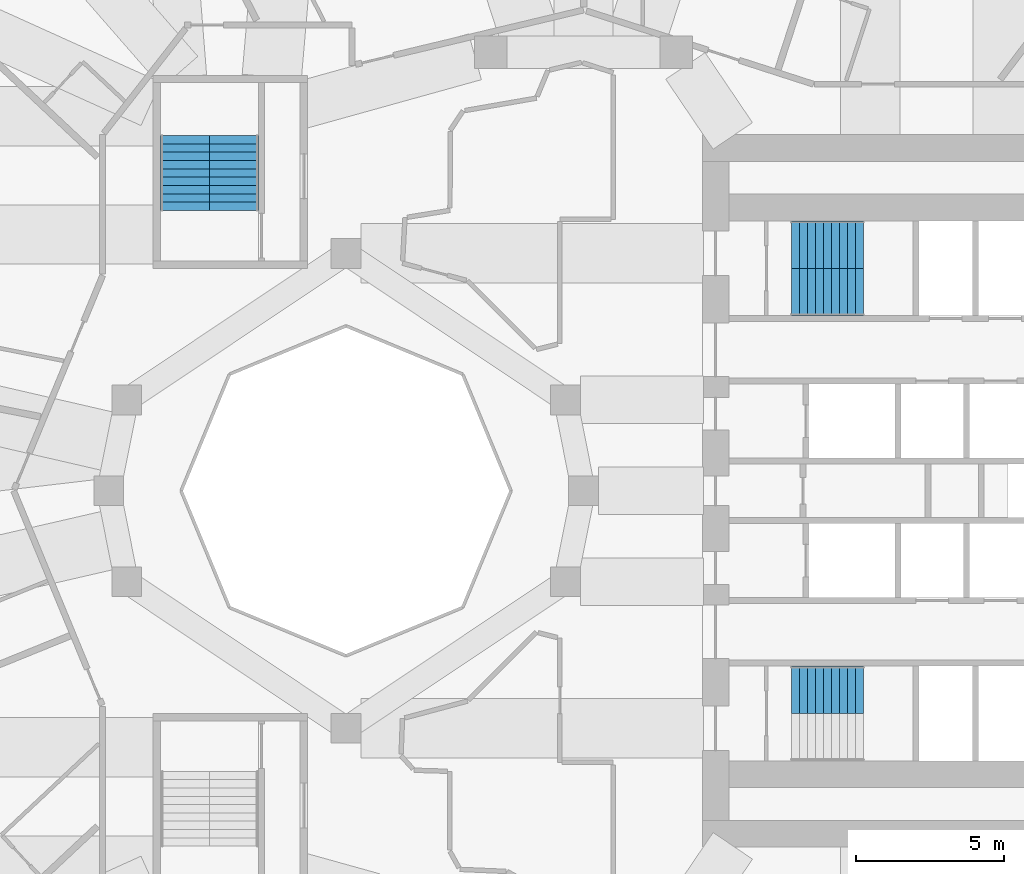
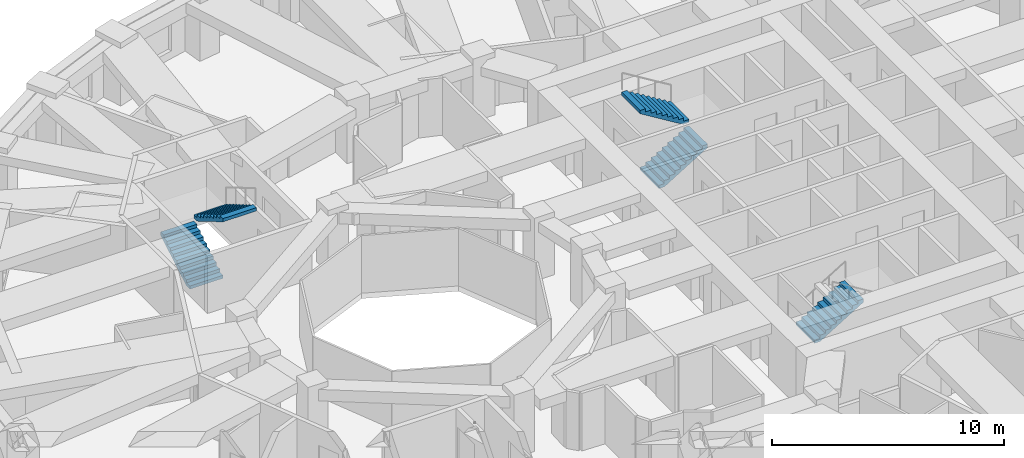
# One storey, part 10 of 13: 5 stair flights, 3 elements without a shape of their own.
"""IFC4 building model written with IfcOpenShell, lengths in metres."""

from ifc_helpers import new_model, si_unit, direction, frame, origin, place, context, subcontext, project, spatial, polyline, outline, extrude, material, type_object, element, aggregate, save


model = new_model("IFC4")

# Units and contexts
model_context = context("Model", 3, precision=1e-05, world=origin(), true_north=direction((0.0, 1.0)))
body_context = subcontext(model_context, "Body", "Model", "MODEL_VIEW")
ifc_project = project(units=[si_unit("LENGTHUNIT", "METRE"), si_unit("AREAUNIT", "SQUARE_METRE"), si_unit("VOLUMEUNIT", "CUBIC_METRE"), si_unit("PLANEANGLEUNIT", "RADIAN"), si_unit("MASSUNIT", "GRAM", prefix="KILO")], contexts=[model_context])

# Site, building, storey
site_placement = place(None, origin())
site = spatial("IfcSite", under=ifc_project, at=site_placement, CompositionType="ELEMENT")
building_placement = place(site_placement, origin())
building = spatial("IfcBuilding", under=site, at=building_placement, Name="Taillehof Tower", CompositionType="ELEMENT")
storey_placement = place(building_placement, frame((0.0, 0.0, 77.800048828125)))
storey = spatial("IfcBuildingStorey", under=building, at=storey_placement, Name="L21", CompositionType="ELEMENT", Elevation=77.800048828125)

# Stair, stair flights
ifc_material_1 = material(Name="Concrete C40/50", Category="concrete")
stair_type = type_object("IfcStairType", Name="Exit stair half-turn", PredefinedType="HALF_TURN_STAIR", material=ifc_material_1)
stair_1_placement = place(storey_placement, origin())
stair_1 = element("IfcStair", 1, at=stair_1_placement, inside=storey, type_object=stair_type, Name="Exit stair S1", PredefinedType="HALF_TURN_STAIR")
ifc_material_2 = material(Name="Concrete C40/50", Category="concrete")
stair_flight_type_1 = type_object("IfcStairFlightType", Name="Stair flight 1600 riser 165.0 going 270", PredefinedType="STRAIGHT", material=ifc_material_2)
stair_flight_1_placement = place(storey_placement, frame((7.0, 6.699951171875, 0.0), z_axis=(0.0, 0.0, 1.0), x_axis=(1.0, 0.0, 0.0)))
stair_flight_1 = element("IfcStairFlight", 2, at=stair_flight_1_placement, type_object=stair_flight_type_1, Name="S1 flight 1", NumberOfRisers=10, NumberOfTreads=9, PredefinedType="STRAIGHT", RiserHeight=0.165, TreadLength=0.27, context=body_context, shape_type="SweptSolid", body=[
    extrude(outline(polyline([(0.0, 0.0), (0.0, 0.00537109375), (0.0, 0.0107421875), (0.0, 0.015869140625), (0.0, 0.021240234375), (0.0, 0.026611328125), (0.0, 0.031982421875), (0.0, 0.037353515625), (0.0, 0.04248046875), (0.0, 0.0478515625), (0.0, 0.05322265625), (0.0, 0.05859375), (0.0, 0.06396484375), (0.0, 0.069091796875), (0.0, 0.074462890625), (0.0, 0.079833984375), (0.0, 0.085205078125), (0.0, 0.090576171875), (0.0, 0.095703125), (0.0, 0.10107421875), (0.0, 0.1064453125), (0.0, 0.11181640625), (0.0, 0.1171875), (0.0, 0.122314453125), (0.0, 0.127685546875), (0.0, 0.133056640625), (0.0, 0.138427734375), (0.0, 0.143798828125), (0.0, 0.14892578125), (0.0, 0.154296875), (0.0, 0.15966796875), (0.0, 0.1650390625), (0.27001953125, 0.1650390625), (0.27001953125, 0.330078125), (0.5400390625, 0.330078125), (0.5400390625, 0.4951171875), (0.81005859375, 0.4951171875), (0.81005859375, 0.659912109375), (1.080078125, 0.659912109375), (1.080078125, 0.824951171875), (1.35009765625, 0.824951171875), (1.35009765625, 0.989990234375), (1.6201171875, 0.989990234375), (1.6201171875, 1.155029296875), (1.889892578125, 1.155029296875), (1.889892578125, 1.320068359375), (2.159912109375, 1.320068359375), (2.159912109375, 1.485107421875), (2.429931640625, 1.485107421875), (2.429931640625, 1.479248046875), (2.429931640625, 1.4736328125), (2.429931640625, 1.468017578125), (2.429931640625, 1.46240234375), (2.429931640625, 1.45654296875), (2.429931640625, 1.450927734375), (2.429931640625, 1.4453125), (2.429931640625, 1.439697265625), (2.429931640625, 1.43408203125), (2.429931640625, 1.42822265625), (2.429931640625, 1.422607421875), (2.429931640625, 1.4169921875), (2.429931640625, 1.411376953125), (2.429931640625, 1.40576171875), (2.429931640625, 1.39990234375), (2.429931640625, 1.394287109375), (2.429931640625, 1.388671875), (2.429931640625, 1.383056640625), (2.429931640625, 1.37744140625), (2.429931640625, 1.37158203125), (2.429931640625, 1.365966796875), (2.429931640625, 1.3603515625), (2.429931640625, 1.354736328125), (2.429931640625, 1.348876953125), (2.429931640625, 1.34326171875), (2.429931640625, 1.337646484375), (2.429931640625, 1.33203125), (2.429931640625, 1.326416015625), (2.429931640625, 1.320556640625), (2.429931640625, 1.31494140625), (2.429931640625, 1.309326171875), (0.287353515625, 0.0), (0.0, 0.0)])), frame((0.0, 0.800048828125, 0.0), z_axis=(0.0, -1.0, 0.0), x_axis=(1.0, 0.0, 0.0)), (0.0, 0.0, 1.0), 1.6),
])
stair_flight_2_placement = place(storey_placement, frame((9.429931640625, 8.300048828125, 1.64990234375), z_axis=(0.0, 0.0, 1.0), x_axis=(-1.0, 0.0, 0.0)))
stair_flight_2 = element("IfcStairFlight", 3, at=stair_flight_2_placement, type_object=stair_flight_type_1, Name="S1 flight 2", NumberOfRisers=10, NumberOfTreads=9, PredefinedType="STRAIGHT", RiserHeight=0.165, TreadLength=0.27, context=body_context, shape_type="SweptSolid", body=[
    extrude(outline(polyline([(0.0, 0.0), (0.0, 0.00537109375), (0.0, 0.0107421875), (0.0, 0.015869140625), (0.0, 0.021240234375), (0.0, 0.026611328125), (0.0, 0.031982421875), (0.0, 0.037353515625), (0.0, 0.04248046875), (0.0, 0.0478515625), (0.0, 0.05322265625), (0.0, 0.05859375), (0.0, 0.06396484375), (0.0, 0.069091796875), (0.0, 0.074462890625), (0.0, 0.079833984375), (0.0, 0.085205078125), (0.0, 0.090576171875), (0.0, 0.095703125), (0.0, 0.10107421875), (0.0, 0.1064453125), (0.0, 0.11181640625), (0.0, 0.1171875), (0.0, 0.122314453125), (0.0, 0.127685546875), (0.0, 0.133056640625), (0.0, 0.138427734375), (0.0, 0.143798828125), (0.0, 0.14892578125), (0.0, 0.154296875), (0.0, 0.15966796875), (0.0, 0.1650390625), (0.27001953125, 0.1650390625), (0.27001953125, 0.330078125), (0.5400390625, 0.330078125), (0.5400390625, 0.4951171875), (0.81005859375, 0.4951171875), (0.81005859375, 0.659912109375), (1.080078125, 0.659912109375), (1.080078125, 0.824951171875), (1.35009765625, 0.824951171875), (1.35009765625, 0.989990234375), (1.6201171875, 0.989990234375), (1.6201171875, 1.155029296875), (1.889892578125, 1.155029296875), (1.889892578125, 1.320068359375), (2.159912109375, 1.320068359375), (2.159912109375, 1.485107421875), (2.429931640625, 1.485107421875), (2.429931640625, 1.479248046875), (2.429931640625, 1.4736328125), (2.429931640625, 1.468017578125), (2.429931640625, 1.46240234375), (2.429931640625, 1.45654296875), (2.429931640625, 1.450927734375), (2.429931640625, 1.4453125), (2.429931640625, 1.439697265625), (2.429931640625, 1.43408203125), (2.429931640625, 1.42822265625), (2.429931640625, 1.422607421875), (2.429931640625, 1.4169921875), (2.429931640625, 1.411376953125), (2.429931640625, 1.40576171875), (2.429931640625, 1.39990234375), (2.429931640625, 1.394287109375), (2.429931640625, 1.388671875), (2.429931640625, 1.383056640625), (2.429931640625, 1.37744140625), (2.429931640625, 1.37158203125), (2.429931640625, 1.365966796875), (2.429931640625, 1.3603515625), (2.429931640625, 1.354736328125), (2.429931640625, 1.348876953125), (2.429931640625, 1.34326171875), (2.429931640625, 1.337646484375), (2.429931640625, 1.33203125), (2.429931640625, 1.326416015625), (2.429931640625, 1.320556640625), (2.429931640625, 1.31494140625), (2.429931640625, 1.309326171875), (0.287353515625, 0.0), (0.0, 0.0)])), frame((0.0, 0.800048828125, 0.0), z_axis=(0.0, -1.0, 0.0), x_axis=(1.0, 0.0, 0.0)), (0.0, 0.0, 1.0), 1.6),
])
aggregate(stair_1, [stair_flight_1, stair_flight_2])

# Stair, stair flight
stair_2_placement = place(storey_placement, origin())
stair_2 = element("IfcStair", 4, at=stair_2_placement, inside=storey, type_object=stair_type, Name="Exit stair S2", PredefinedType="HALF_TURN_STAIR")
stair_flight_3_placement = place(storey_placement, frame((7.0, -6.699951171875, 0.0), z_axis=(0.0, 0.0, 1.0), x_axis=(1.0, 0.0, 0.0)))
stair_flight_3 = element("IfcStairFlight", 5, at=stair_flight_3_placement, type_object=stair_flight_type_1, Name="S2 flight 1", NumberOfRisers=10, NumberOfTreads=9, PredefinedType="STRAIGHT", RiserHeight=0.165, TreadLength=0.27, context=body_context, shape_type="SweptSolid", body=[
    extrude(outline(polyline([(0.0, 0.0), (0.0, 0.00537109375), (0.0, 0.0107421875), (0.0, 0.015869140625), (0.0, 0.021240234375), (0.0, 0.026611328125), (0.0, 0.031982421875), (0.0, 0.037353515625), (0.0, 0.04248046875), (0.0, 0.0478515625), (0.0, 0.05322265625), (0.0, 0.05859375), (0.0, 0.06396484375), (0.0, 0.069091796875), (0.0, 0.074462890625), (0.0, 0.079833984375), (0.0, 0.085205078125), (0.0, 0.090576171875), (0.0, 0.095703125), (0.0, 0.10107421875), (0.0, 0.1064453125), (0.0, 0.11181640625), (0.0, 0.1171875), (0.0, 0.122314453125), (0.0, 0.127685546875), (0.0, 0.133056640625), (0.0, 0.138427734375), (0.0, 0.143798828125), (0.0, 0.14892578125), (0.0, 0.154296875), (0.0, 0.15966796875), (0.0, 0.1650390625), (0.27001953125, 0.1650390625), (0.27001953125, 0.330078125), (0.5400390625, 0.330078125), (0.5400390625, 0.4951171875), (0.81005859375, 0.4951171875), (0.81005859375, 0.659912109375), (1.080078125, 0.659912109375), (1.080078125, 0.824951171875), (1.35009765625, 0.824951171875), (1.35009765625, 0.989990234375), (1.6201171875, 0.989990234375), (1.6201171875, 1.155029296875), (1.889892578125, 1.155029296875), (1.889892578125, 1.320068359375), (2.159912109375, 1.320068359375), (2.159912109375, 1.485107421875), (2.429931640625, 1.485107421875), (2.429931640625, 1.479248046875), (2.429931640625, 1.4736328125), (2.429931640625, 1.468017578125), (2.429931640625, 1.46240234375), (2.429931640625, 1.45654296875), (2.429931640625, 1.450927734375), (2.429931640625, 1.4453125), (2.429931640625, 1.439697265625), (2.429931640625, 1.43408203125), (2.429931640625, 1.42822265625), (2.429931640625, 1.422607421875), (2.429931640625, 1.4169921875), (2.429931640625, 1.411376953125), (2.429931640625, 1.40576171875), (2.429931640625, 1.39990234375), (2.429931640625, 1.394287109375), (2.429931640625, 1.388671875), (2.429931640625, 1.383056640625), (2.429931640625, 1.37744140625), (2.429931640625, 1.37158203125), (2.429931640625, 1.365966796875), (2.429931640625, 1.3603515625), (2.429931640625, 1.354736328125), (2.429931640625, 1.348876953125), (2.429931640625, 1.34326171875), (2.429931640625, 1.337646484375), (2.429931640625, 1.33203125), (2.429931640625, 1.326416015625), (2.429931640625, 1.320556640625), (2.429931640625, 1.31494140625), (2.429931640625, 1.309326171875), (0.287353515625, 0.0), (0.0, 0.0)])), frame((0.0, 0.800048828125, 0.0), z_axis=(0.0, -1.0, 0.0), x_axis=(1.0, 0.0, 0.0)), (0.0, 0.0, 1.0), 1.6),
])
aggregate(stair_2, [stair_flight_3])

# Stair, stair flights
stair_3_placement = place(storey_placement, origin())
stair_3 = element("IfcStair", 6, at=stair_3_placement, inside=storey, type_object=stair_type, Name="Exit stair S3", PredefinedType="HALF_TURN_STAIR")
ifc_material_3 = material(Name="Concrete C40/50", Category="concrete")
stair_flight_type_2 = type_object("IfcStairFlightType", Name="Stair flight 1650 riser 165.0 going 280", PredefinedType="STRAIGHT", material=ifc_material_3)
stair_flight_4_placement = place(storey_placement, frame((-13.425048828125, 9.449951171875, 0.0), z_axis=(0.0, 0.0, 1.0), x_axis=(0.0, 1.0, 0.0)))
stair_flight_4 = element("IfcStairFlight", 7, at=stair_flight_4_placement, type_object=stair_flight_type_2, Name="S3 flight 1", NumberOfRisers=10, NumberOfTreads=9, PredefinedType="STRAIGHT", RiserHeight=0.165, TreadLength=0.28, context=body_context, shape_type="SweptSolid", body=[
    extrude(outline(polyline([(0.0, 0.0), (0.0, 0.00537109375), (0.0, 0.0107421875), (0.0, 0.015869140625), (0.0, 0.021240234375), (0.0, 0.026611328125), (0.0, 0.031982421875), (0.0, 0.037353515625), (0.0, 0.04248046875), (0.0, 0.0478515625), (0.0, 0.05322265625), (0.0, 0.05859375), (0.0, 0.06396484375), (0.0, 0.069091796875), (0.0, 0.074462890625), (0.0, 0.079833984375), (0.0, 0.085205078125), (0.0, 0.090576171875), (0.0, 0.095703125), (0.0, 0.10107421875), (0.0, 0.1064453125), (0.0, 0.11181640625), (0.0, 0.1171875), (0.0, 0.122314453125), (0.0, 0.127685546875), (0.0, 0.133056640625), (0.0, 0.138427734375), (0.0, 0.143798828125), (0.0, 0.14892578125), (0.0, 0.154296875), (0.0, 0.15966796875), (0.0, 0.1650390625), (0.280029296875, 0.1650390625), (0.280029296875, 0.330078125), (0.56005859375, 0.330078125), (0.56005859375, 0.4951171875), (0.840087890625, 0.4951171875), (0.840087890625, 0.659912109375), (1.1201171875, 0.659912109375), (1.1201171875, 0.824951171875), (1.39990234375, 0.824951171875), (1.39990234375, 0.989990234375), (1.679931640625, 0.989990234375), (1.679931640625, 1.155029296875), (1.9599609375, 1.155029296875), (1.9599609375, 1.320068359375), (2.239990234375, 1.320068359375), (2.239990234375, 1.485107421875), (2.52001953125, 1.485107421875), (2.52001953125, 1.4794921875), (2.52001953125, 1.473876953125), (2.52001953125, 1.46826171875), (2.52001953125, 1.462646484375), (2.52001953125, 1.45703125), (2.52001953125, 1.451416015625), (2.52001953125, 1.44580078125), (2.52001953125, 1.440185546875), (2.52001953125, 1.4345703125), (2.52001953125, 1.428955078125), (2.52001953125, 1.42333984375), (2.52001953125, 1.417724609375), (2.52001953125, 1.412109375), (2.52001953125, 1.406494140625), (2.52001953125, 1.40087890625), (2.52001953125, 1.395263671875), (2.52001953125, 1.3896484375), (2.52001953125, 1.384033203125), (2.52001953125, 1.37841796875), (2.52001953125, 1.372802734375), (2.52001953125, 1.3671875), (2.52001953125, 1.361572265625), (2.52001953125, 1.35595703125), (2.52001953125, 1.350341796875), (2.52001953125, 1.3447265625), (2.52001953125, 1.339111328125), (2.52001953125, 1.33349609375), (2.52001953125, 1.327880859375), (2.52001953125, 1.322265625), (2.52001953125, 1.316650390625), (2.52001953125, 1.31103515625), (0.295166015625, 0.0), (0.0, 0.0)])), frame((0.0, 0.824951171875, 0.0), z_axis=(0.0, -1.0, 0.0), x_axis=(1.0, 0.0, 0.0)), (0.0, 0.0, 1.0), 1.65),
])
stair_flight_5_placement = place(storey_placement, frame((-11.77490234375, 11.969970703125, 1.64990234375), z_axis=(0.0, 0.0, 1.0), x_axis=(0.0, -1.0, 0.0)))
stair_flight_5 = element("IfcStairFlight", 8, at=stair_flight_5_placement, type_object=stair_flight_type_2, Name="S3 flight 2", NumberOfRisers=10, NumberOfTreads=9, PredefinedType="STRAIGHT", RiserHeight=0.165, TreadLength=0.28, context=body_context, shape_type="SweptSolid", body=[
    extrude(outline(polyline([(0.0, 0.0), (0.0, 0.00537109375), (0.0, 0.0107421875), (0.0, 0.015869140625), (0.0, 0.021240234375), (0.0, 0.026611328125), (0.0, 0.031982421875), (0.0, 0.037353515625), (0.0, 0.04248046875), (0.0, 0.0478515625), (0.0, 0.05322265625), (0.0, 0.05859375), (0.0, 0.06396484375), (0.0, 0.069091796875), (0.0, 0.074462890625), (0.0, 0.079833984375), (0.0, 0.085205078125), (0.0, 0.090576171875), (0.0, 0.095703125), (0.0, 0.10107421875), (0.0, 0.1064453125), (0.0, 0.11181640625), (0.0, 0.1171875), (0.0, 0.122314453125), (0.0, 0.127685546875), (0.0, 0.133056640625), (0.0, 0.138427734375), (0.0, 0.143798828125), (0.0, 0.14892578125), (0.0, 0.154296875), (0.0, 0.15966796875), (0.0, 0.1650390625), (0.280029296875, 0.1650390625), (0.280029296875, 0.330078125), (0.56005859375, 0.330078125), (0.56005859375, 0.4951171875), (0.840087890625, 0.4951171875), (0.840087890625, 0.659912109375), (1.1201171875, 0.659912109375), (1.1201171875, 0.824951171875), (1.39990234375, 0.824951171875), (1.39990234375, 0.989990234375), (1.679931640625, 0.989990234375), (1.679931640625, 1.155029296875), (1.9599609375, 1.155029296875), (1.9599609375, 1.320068359375), (2.239990234375, 1.320068359375), (2.239990234375, 1.485107421875), (2.52001953125, 1.485107421875), (2.52001953125, 1.4794921875), (2.52001953125, 1.473876953125), (2.52001953125, 1.46826171875), (2.52001953125, 1.462646484375), (2.52001953125, 1.45703125), (2.52001953125, 1.451416015625), (2.52001953125, 1.44580078125), (2.52001953125, 1.440185546875), (2.52001953125, 1.4345703125), (2.52001953125, 1.428955078125), (2.52001953125, 1.42333984375), (2.52001953125, 1.417724609375), (2.52001953125, 1.412109375), (2.52001953125, 1.406494140625), (2.52001953125, 1.40087890625), (2.52001953125, 1.395263671875), (2.52001953125, 1.3896484375), (2.52001953125, 1.384033203125), (2.52001953125, 1.37841796875), (2.52001953125, 1.372802734375), (2.52001953125, 1.3671875), (2.52001953125, 1.361572265625), (2.52001953125, 1.35595703125), (2.52001953125, 1.350341796875), (2.52001953125, 1.3447265625), (2.52001953125, 1.339111328125), (2.52001953125, 1.33349609375), (2.52001953125, 1.327880859375), (2.52001953125, 1.322265625), (2.52001953125, 1.316650390625), (2.52001953125, 1.31103515625), (0.295166015625, 0.0), (0.0, 0.0)])), frame((0.0, 0.824951171875, 0.0), z_axis=(0.0, -1.0, 0.0), x_axis=(1.0, 0.0, 0.0)), (0.0, 0.0, 1.0), 1.65),
])
aggregate(stair_3, [stair_flight_4, stair_flight_5])

save(model, "model.ifc")
